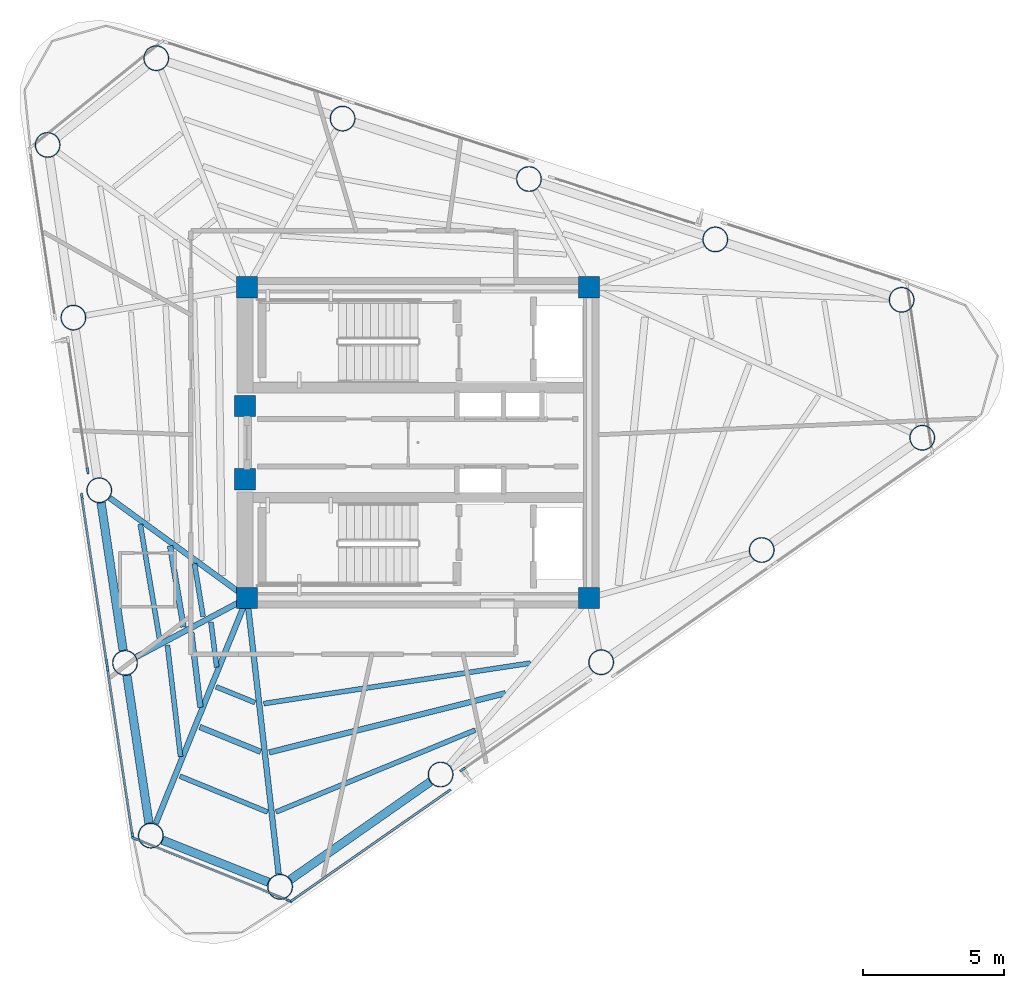
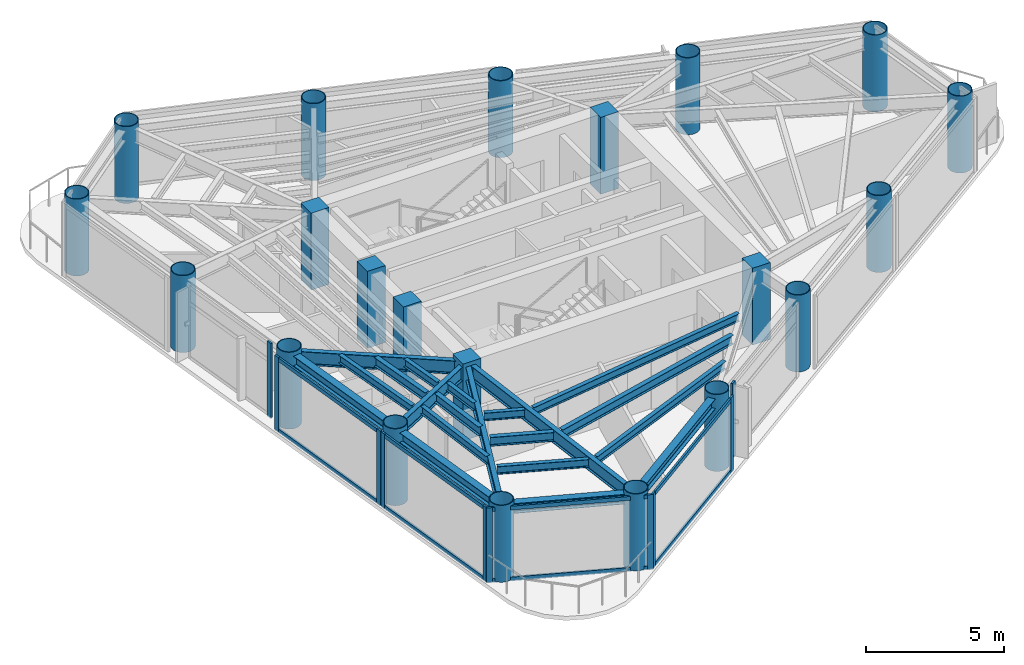
# One storey, part 1 of 9: 21 columns, 20 beams, 18 members, 6 elements without a shape of their own.
"""IFC4 building model written with IfcOpenShell, lengths in metres."""

import ifcopenshell
import ifcopenshell.guid

model = None  # the IFC model being written
_history = None  # IfcOwnerHistory: only IFC2X3 demands one
_inside = {}  # id of a spatial element -> (the spatial element, [elements in it])
_under = {}  # id of a project, library or spatial element -> (it, [spatial elements below it])
_declared = {}  # id of a project -> (the project, [libraries it declares])
_typed = {}  # id of a type object -> (the type object, [elements of that type])
_made_of = {}  # id of a material, layer set ... -> (it, [elements and type objects made of it])


def new_model(schema):
    """Start an empty IFC model of exactly this schema.

    Asked for "IFC4X3", IfcOpenShell would pick the latest addendum, in which some entities
    have other attributes; the version numbers below select the first issue.
    IFC2X3 requires an IfcOwnerHistory on every rooted entity: one is made here for all.
    """
    global model, _history
    if schema == "IFC4X3":
        model = ifcopenshell.file(schema_version=(4, 3, 0, 0))
    else:
        model = ifcopenshell.file(schema=schema)
    _inside.clear()
    _under.clear()
    _declared.clear()
    _typed.clear()
    _made_of.clear()
    _history = None
    if model.schema == "IFC2X3":
        org = make("IfcOrganization", Name="unknown")
        user = make(
            "IfcPersonAndOrganization",
            ThePerson=make("IfcPerson", FamilyName="unknown"),
            TheOrganization=org,
        )
        app = make(
            "IfcApplication",
            ApplicationDeveloper=org,
            Version="unknown",
            ApplicationFullName="unknown",
            ApplicationIdentifier="unknown",
        )
        _history = make(
            "IfcOwnerHistory",
            OwningUser=user,
            OwningApplication=app,
            ChangeAction="ADDED",
            CreationDate=0,
        )
    return model


def make(cls, **values):
    """One entity of the class cls with the attributes given. An attribute that is None is left unset."""
    return model.create_entity(
        cls, **{name: value for name, value in values.items() if value is not None}
    )


def rooted(cls, **values):
    """An entity with a GlobalId (a new one), such as an element, a storey or a relation."""
    return make(cls, GlobalId=ifcopenshell.guid.new(), OwnerHistory=_history, **values)


def si_unit(unit_type, name, prefix=None):
    """IfcSIUnit, for example si_unit("LENGTHUNIT", "METRE", prefix="MILLI")."""
    return make("IfcSIUnit", UnitType=unit_type, Prefix=prefix, Name=name)


def assignment(units):
    """IfcUnitAssignment: the units of a project."""
    return None if units is None else make("IfcUnitAssignment", Units=units)


def point(xyz):
    """IfcCartesianPoint."""
    return None if xyz is None else make("IfcCartesianPoint", Coordinates=xyz)


def direction(xyz):
    """IfcDirection."""
    return None if xyz is None else make("IfcDirection", DirectionRatios=xyz)


def frame(location, z_axis=None, x_axis=None):
    """IfcAxis2Placement3D, a coordinate frame: its origin and axes. An axis left out is left unset."""
    return make(
        "IfcAxis2Placement3D",
        Location=point(location),
        Axis=direction(z_axis),
        RefDirection=direction(x_axis),
    )


def frame_2d(location, x_axis=None):
    """IfcAxis2Placement2D, a coordinate frame in the plane: its origin and x axis."""
    return make(
        "IfcAxis2Placement2D", Location=point(location), RefDirection=direction(x_axis)
    )


def origin():
    """The frame at (0, 0, 0) with its axes left unset."""
    return frame((0.0, 0.0, 0.0))


def origin_2d():
    """The frame at (0, 0) in the plane with its x axis left unset."""
    return frame_2d((0.0, 0.0))


def place(relative_to, where):
    """IfcLocalPlacement: puts the frame where relative to a parent placement (None: the world)."""
    return make(
        "IfcLocalPlacement", PlacementRelTo=relative_to, RelativePlacement=where
    )


def context(
    kind, dimensions, precision=None, world=None, true_north=None, identifier=None
):
    """IfcGeometricRepresentationContext, for example the 3D "Model" context."""
    return make(
        "IfcGeometricRepresentationContext",
        ContextIdentifier=identifier,
        ContextType=kind,
        CoordinateSpaceDimension=dimensions,
        Precision=precision,
        WorldCoordinateSystem=world,
        TrueNorth=true_north,
    )


def subcontext(parent, identifier, kind, view, scale=None):
    """IfcGeometricRepresentationSubContext, for example "Body" below "Model"."""
    return make(
        "IfcGeometricRepresentationSubContext",
        ContextIdentifier=identifier,
        ContextType=kind,
        ParentContext=parent,
        TargetScale=scale,
        TargetView=view,
    )


def project(units=None, contexts=None):
    """IfcProject with its units and contexts."""
    return rooted(
        "IfcProject",
        Name="project",
        RepresentationContexts=contexts,
        UnitsInContext=assignment(units),
    )


def spatial(cls, under=None, at=None, **own):
    """A site, building, storey or space (cls), placed at a placement, below another one or the project."""
    s = rooted(cls, ObjectPlacement=at, **own)
    if under is not None:
        _under.setdefault(under.id(), (under, []))[1].append(s)
    return s


def profile(cls, at=None, kind="AREA", **sizes):
    """A parametric profile (cls). Its sizes go by their IFC names, for example OverallWidth=200.0."""
    return make(cls, ProfileType=kind, Position=at, **sizes)


def rectangle(**sizes):
    """IfcRectangleProfileDef."""
    return profile("IfcRectangleProfileDef", **sizes)


def hollow_circle(**sizes):
    """IfcCircleHollowProfileDef."""
    return profile("IfcCircleHollowProfileDef", **sizes)


def i_section(**sizes):
    """IfcIShapeProfileDef."""
    return profile("IfcIShapeProfileDef", **sizes)


def extrude(swept, where, along, depth):
    """IfcExtrudedAreaSolid: the profile swept, set in the frame where, extruded along a direction by depth."""
    return make(
        "IfcExtrudedAreaSolid",
        SweptArea=swept,
        Position=where,
        ExtrudedDirection=direction(along),
        Depth=depth,
    )


def shape(context_of_items, identifier, shape_type, items):
    """IfcShapeRepresentation: the items that make up one representation, for example the "Body"."""
    return make(
        "IfcShapeRepresentation",
        ContextOfItems=context_of_items,
        RepresentationIdentifier=identifier,
        RepresentationType=shape_type,
        Items=items,
    )


def source(mapping_origin, context_of_items, identifier, shape_type, items):
    """IfcRepresentationMap: a shape defined once, which mapped items show again and again."""
    return make(
        "IfcRepresentationMap",
        MappingOrigin=mapping_origin,
        MappedRepresentation=shape(context_of_items, identifier, shape_type, items),
    )


def transform(
    local_origin,
    x_axis=None,
    y_axis=None,
    z_axis=None,
    scale=None,
    scale2=None,
    scale3=None,
    uniform=True,
):
    """IfcCartesianTransformationOperator3D, or its non-uniform kind. x_axis, y_axis, z_axis: its Axis1, 2, 3."""
    if uniform:
        return make(
            "IfcCartesianTransformationOperator3D",
            Axis1=direction(x_axis),
            Axis2=direction(y_axis),
            LocalOrigin=point(local_origin),
            Scale=scale,
            Axis3=direction(z_axis),
        )
    return make(
        "IfcCartesianTransformationOperator3DnonUniform",
        Axis1=direction(x_axis),
        Axis2=direction(y_axis),
        LocalOrigin=point(local_origin),
        Scale=scale,
        Axis3=direction(z_axis),
        Scale2=scale2,
        Scale3=scale3,
    )


def mapped(mapping_source, mapping_target):
    """IfcMappedItem: shows the shape of a source again, moved by a transform."""
    return make(
        "IfcMappedItem", MappingSource=mapping_source, MappingTarget=mapping_target
    )


def material(Name=None, Category=None):
    """IfcMaterial."""
    return make("IfcMaterial", Name=Name, Category=Category)


def layer(
    of_material, thickness, ventilated=None, Name=None, Category=None, Priority=None
):
    """IfcMaterialLayer: one layer of a wall or slab, of a material (None: an air gap)."""
    return make(
        "IfcMaterialLayer",
        Material=of_material,
        LayerThickness=thickness,
        IsVentilated=ventilated,
        Name=Name,
        Category=Category,
        Priority=Priority,
    )


def layer_set(layers, Name=None):
    """IfcMaterialLayerSet."""
    return make("IfcMaterialLayerSet", MaterialLayers=layers, LayerSetName=Name)


def material_profile(
    of_material, cross_section, Name=None, Category=None, Priority=None
):
    """IfcMaterialProfile: a cross section and its material."""
    return make(
        "IfcMaterialProfile",
        Name=Name,
        Material=of_material,
        Profile=cross_section,
        Priority=Priority,
        Category=Category,
    )


def profile_set(profiles, Name=None, composite=None):
    """IfcMaterialProfileSet."""
    return make(
        "IfcMaterialProfileSet",
        Name=Name,
        MaterialProfiles=profiles,
        CompositeProfile=composite,
    )


def made_of(thing, what):
    """Note that an element or type object is made of a material, layer set ...; save() writes the relation."""
    if what is not None:
        _made_of.setdefault(what.id(), (what, []))[1].append(thing)
    return thing


def type_object(cls, material=None, **own):
    """A type object (cls), such as IfcWallType, which elements share."""
    return made_of(rooted(cls, **own), material)


def element(
    cls,
    number,
    at=None,
    inside=None,
    cuts=None,
    type_object=None,
    material=None,
    context=None,
    identifier="Body",
    shape_type=None,
    held_by="IfcProductDefinitionShape",
    body=None,
    shapes=None,
    **own,
):
    """One element of the class cls, such as IfcWall. Its Tag is "e" and its number.

    at: its placement. inside: the storey or other place that contains it. cuts: it is an
    opening in that element (IfcRelVoidsElement). A single representation is given by context,
    identifier, shape_type and body (its items); several are given by shapes. held_by: the class
    of the entity that holds the representations. save() writes the other relations.
    """
    e = rooted(cls, Tag="e%d" % number, ObjectPlacement=at, **own)
    if body is not None:
        shapes = [shape(context, identifier, shape_type, body)]
    if shapes is not None:
        e.Representation = make(held_by, Representations=shapes)
    if inside is not None:
        _inside.setdefault(inside.id(), (inside, []))[1].append(e)
    if cuts is not None:
        rooted(
            "IfcRelVoidsElement", RelatingBuildingElement=cuts, RelatedOpeningElement=e
        )
    if type_object is not None:
        _typed.setdefault(type_object.id(), (type_object, []))[1].append(e)
    return made_of(e, material)


def aggregate(whole, parts):
    """IfcRelAggregates: a whole, such as a stair, and the parts it consists of."""
    return rooted("IfcRelAggregates", RelatingObject=whole, RelatedObjects=parts)


def save(model, path):
    """Write the relations noted so far, then the file.

    IfcRelAggregates (storeys below a building ...), IfcRelContainedInSpatialStructure (elements
    in a storey), IfcRelDefinesByType, IfcRelAssociatesMaterial and IfcRelDeclares: one each for
    every whole, place, type object, material and project.
    """
    for whole, parts in _under.values():
        aggregate(whole, parts)
    for where, things in _inside.values():
        rooted(
            "IfcRelContainedInSpatialStructure",
            RelatedElements=things,
            RelatingStructure=where,
        )
    for kind, things in _typed.values():
        rooted("IfcRelDefinesByType", RelatedObjects=things, RelatingType=kind)
    for what, things in _made_of.values():
        rooted("IfcRelAssociatesMaterial", RelatedObjects=things, RelatingMaterial=what)
    for by, libraries in _declared.values():
        rooted("IfcRelDeclares", RelatingContext=by, RelatedDefinitions=libraries)
    model.write(path)


model = new_model("IFC4")

# Units and contexts
model_context = context("Model", 3, precision=1e-05, world=origin(), true_north=direction((0.0, 1.0)))
body_context = subcontext(model_context, "Body", "Model", "MODEL_VIEW")
ifc_project = project(units=[si_unit("LENGTHUNIT", "METRE"), si_unit("AREAUNIT", "SQUARE_METRE"), si_unit("VOLUMEUNIT", "CUBIC_METRE"), si_unit("PLANEANGLEUNIT", "RADIAN"), si_unit("MASSUNIT", "GRAM", prefix="KILO")], contexts=[model_context])

# Site, building, storey
site_placement = place(None, origin())
site = spatial("IfcSite", under=ifc_project, at=site_placement, CompositionType="ELEMENT")
building_placement = place(site_placement, origin())
building = spatial("IfcBuilding", under=site, at=building_placement, Name="Yunling Apex Tower", CompositionType="ELEMENT")
storey_placement = place(building_placement, frame((0.0, 0.0, 264.35009765625)))
storey = spatial("IfcBuildingStorey", under=building, at=storey_placement, Name="L64", CompositionType="ELEMENT", Elevation=264.35009765625)

# Columns
ifc_material_1 = material(Name="Concrete C50", Category="concrete")
ifc_material_profile_1 = material_profile(ifc_material_1, rectangle(XDim=0.75, YDim=0.75, at=origin_2d()))
ifc_profile_set_1 = profile_set([ifc_material_profile_1], Name="Concrete C50")
column_type_1 = type_object("IfcColumnType", Name="PC-SRC-4", PredefinedType="COLUMN", material=ifc_profile_set_1)
shared_shape_1 = source(origin(), body_context, "Body", "SweptSolid", [
    extrude(rectangle(XDim=0.75, YDim=0.75, at=origin_2d()), origin(), (0.0, 0.0, 1.0), 3.39990234375),
])
for number, where, z_axis, x_axis, name in (
    (1, (-6.050048828125, -5.5, 0.0), (0.0, 0.0, 1.0), (1.0, 0.0, 0.0), "L64 Core Spine Column CC-SW"),
    (2, (6.050048828125, -5.5, 0.0), (0.0, 0.0, 1.0), (1.0, 0.0, 0.0), "L64 Core Spine Column CC-SE"),
    (3, (6.050048828125, 5.5, 0.0), (0.0, 0.0, 1.0), (1.0, 0.0, 0.0), "L64 Core Spine Column CC-NE"),
    (4, (-6.050048828125, 5.5, 0.0), (0.0, 0.0, 1.0), (1.0, 0.0, 0.0), "L64 Core Spine Column CC-NW"),
    (5, (-6.125, -1.300048828125, 0.0), (0.0, 0.0, 1.0), (1.0, 0.0, 0.0), "L64 Core West Portal Jamb Column S"),
    (6, (-6.125, 1.300048828125, 0.0), (0.0, 0.0, 1.0), (1.0, 0.0, 0.0), "L64 Core West Portal Jamb Column N"),
):
    element("IfcColumn", number, at=place(storey_placement, frame(where, z_axis=z_axis, x_axis=x_axis)), inside=storey, type_object=column_type_1, Name=name, PredefinedType="COLUMN", context=body_context, shape_type="MappedRepresentation", body=[
        mapped(shared_shape_1, transform((0.0, 0.0, 0.0), scale=1.0)),
    ])
ifc_material_2 = material(Name="Steel Q355B", Category="steel")
ifc_material_profile_2 = material_profile(ifc_material_2, hollow_circle(Radius=0.449951171875, WallThickness=0.031982421875, at=origin_2d()))
ifc_profile_set_2 = profile_set([ifc_material_profile_2], Name="Steel Q355B")
column_type_2 = type_object("IfcColumnType", Name="MC-CFST-6", PredefinedType="COLUMN", material=ifc_profile_set_2)
shared_shape_2 = source(origin(), body_context, "Body", "SweptSolid", [
    extrude(hollow_circle(Radius=0.449951171875, WallThickness=0.031982421875, at=origin_2d()), origin(), (0.0, 0.0, 1.0), 3.39990234375),
])
for number, where, z_axis, x_axis, name in (
    (7, (-4.8837890625, -15.716796875, 0.0), (0.0, 0.0, 1.0), (1.0, 0.0, 0.0), "L64 Perimeter CFST Mega-Column P01"),
    (8, (0.797119140625, -11.744873046875, 0.0), (0.0, 0.0, 1.0), (1.0, 0.0, 0.0), "L64 Perimeter CFST Mega-Column P02"),
    (9, (6.47802734375, -7.77294921875, 0.0), (0.0, 0.0, 1.0), (1.0, 0.0, 0.0), "L64 Perimeter CFST Mega-Column P03"),
    (10, (12.15869140625, -3.801025390625, 0.0), (0.0, 0.0, 1.0), (1.0, 0.0, 0.0), "L64 Perimeter CFST Mega-Column P04"),
    (11, (17.839599609375, 0.1708984375, 0.0), (0.0, 0.0, 1.0), (1.0, 0.0, 0.0), "L64 Perimeter CFST Mega-Column P05"),
    (12, (17.110107421875, 5.052490234375, 0.0), (0.0, 0.0, 1.0), (1.0, 0.0, 0.0), "L64 Perimeter CFST Mega-Column P06"),
    (13, (10.51611328125, 7.18994140625, 0.0), (0.0, 0.0, 1.0), (1.0, 0.0, 0.0), "L64 Perimeter CFST Mega-Column P07"),
    (14, (3.92236328125, 9.327392578125, 0.0), (0.0, 0.0, 1.0), (1.0, 0.0, 0.0), "L64 Perimeter CFST Mega-Column P08"),
    (15, (-2.671630859375, 11.46484375, 0.0), (0.0, 0.0, 1.0), (1.0, 0.0, 0.0), "L64 Perimeter CFST Mega-Column P09"),
    (16, (-9.265625, 13.602294921875, 0.0), (0.0, 0.0, 1.0), (1.0, 0.0, 0.0), "L64 Perimeter CFST Mega-Column P10"),
    (17, (-13.10986328125, 10.532470703125, 0.0), (0.0, 0.0, 1.0), (1.0, 0.0, 0.0), "L64 Perimeter CFST Mega-Column P11"),
    (18, (-12.19677734375, 4.423095703125, 0.0), (0.0, 0.0, 1.0), (1.0, 0.0, 0.0), "L64 Perimeter CFST Mega-Column P12"),
    (19, (-11.28369140625, -1.686279296875, 0.0), (0.0, 0.0, 1.0), (1.0, 0.0, 0.0), "L64 Perimeter CFST Mega-Column P13"),
    (20, (-10.37060546875, -7.7958984375, 0.0), (0.0, 0.0, 1.0), (1.0, 0.0, 0.0), "L64 Perimeter CFST Mega-Column P14"),
    (21, (-9.45751953125, -13.9052734375, 0.0), (0.0, 0.0, 1.0), (1.0, 0.0, 0.0), "L64 Perimeter CFST Mega-Column P15"),
):
    element("IfcColumn", number, at=place(storey_placement, frame(where, z_axis=z_axis, x_axis=x_axis)), inside=storey, type_object=column_type_2, Name=name, PredefinedType="COLUMN", context=body_context, shape_type="MappedRepresentation", body=[
        mapped(shared_shape_2, transform((0.0, 0.0, 0.0), scale=1.0)),
    ])

# Beams
ifc_material_profile_3 = material_profile(ifc_material_2, i_section(OverallWidth=0.300048828125, OverallDepth=0.43994140625, WebThickness=0.010986328125, FlangeThickness=0.01806640625, FilletRadius=0.02197265625, at=origin_2d()))
ifc_profile_set_3 = profile_set([ifc_material_profile_3], Name="Steel Q355B")
beam_type_1 = type_object("IfcBeamType", Name="BP-SPN-3", PredefinedType="SPANDREL", material=ifc_profile_set_3)
shared_shape_3 = source(origin(), body_context, "Body", "SweptSolid", [
    extrude(i_section(OverallWidth=0.300048828125, OverallDepth=0.43994140625, WebThickness=0.010986328125, FlangeThickness=0.01806640625, FilletRadius=0.02197265625, at=origin_2d()), origin(), (0.0, 0.0, 1.0), 6.043701171875),
])
beam_1_placement = place(storey_placement, frame((-4.52001953125, -15.46240234375, 3.0), z_axis=(0.819546828705, 0.5730122124, 0.0), x_axis=(-0.5730122124, 0.819546828705, 0.0)))
element("IfcBeam", 22, at=beam_1_placement, inside=storey, type_object=beam_type_1, Name="L64 Perimeter Spandrel Beam 1", PredefinedType="SPANDREL", context=body_context, shape_type="MappedRepresentation", body=[
    mapped(shared_shape_3, transform((0.0, 0.0, 0.0), scale=1.0)),
])
shared_shape_4 = source(origin(), body_context, "Body", "SweptSolid", [
    extrude(i_section(OverallWidth=0.300048828125, OverallDepth=0.43994140625, WebThickness=0.010986328125, FlangeThickness=0.01806640625, FilletRadius=0.02197265625, at=origin_2d()), origin(), (0.0, 0.0, 1.0), 5.289306640625),
])
for number, where, z_axis, x_axis, name in (
    (23, (-11.218017578125, -2.12548828125, 3.0), (0.147796471114, -0.989017797174, 0.0), (0.989017797174, 0.147796471114, 0.0), "L64 Perimeter Spandrel Beam 13"),
    (24, (-10.304931640625, -8.23486328125, 3.0), (0.147796471114, -0.989017797174, 0.0), (0.989017797174, 0.147796471114, 0.0), "L64 Perimeter Spandrel Beam 14"),
):
    element("IfcBeam", number, at=place(storey_placement, frame(where, z_axis=z_axis, x_axis=x_axis)), inside=storey, type_object=beam_type_1, Name=name, PredefinedType="SPANDREL", context=body_context, shape_type="MappedRepresentation", body=[
        mapped(shared_shape_4, transform((0.0, 0.0, 0.0), scale=1.0)),
    ])
shared_shape_5 = source(origin(), body_context, "Body", "SweptSolid", [
    extrude(i_section(OverallWidth=0.300048828125, OverallDepth=0.43994140625, WebThickness=0.010986328125, FlangeThickness=0.01806640625, FilletRadius=0.02197265625, at=origin_2d()), origin(), (0.0, 0.0, 1.0), 4.03173828125),
])
beam_2_placement = place(storey_placement, frame((-9.044921875, -14.068603515625, 3.0), z_axis=(0.92970771396, -0.368298203368, 0.0), x_axis=(0.368298203368, 0.92970771396, 0.0)))
element("IfcBeam", 25, at=beam_2_placement, inside=storey, type_object=beam_type_1, Name="L64 Perimeter Spandrel Beam 15", PredefinedType="SPANDREL", context=body_context, shape_type="MappedRepresentation", body=[
    mapped(shared_shape_5, transform((0.0, 0.0, 0.0), scale=1.0)),
])
ifc_material_profile_4 = material_profile(ifc_material_2, i_section(OverallWidth=0.199951171875, OverallDepth=0.60009765625, WebThickness=0.010986328125, FlangeThickness=0.01708984375, FilletRadius=0.02197265625, at=origin_2d()))
ifc_profile_set_4 = profile_set([ifc_material_profile_4], Name="Steel Q355B")
beam_type_2 = type_object("IfcBeamType", Name="BG-PRI-5", PredefinedType="USERDEFINED", material=ifc_profile_set_4)
shared_shape_6 = source(origin(), body_context, "Body", "SweptSolid", [
    extrude(i_section(OverallWidth=0.199951171875, OverallDepth=0.60009765625, WebThickness=0.010986328125, FlangeThickness=0.01708984375, FilletRadius=0.02197265625, at=origin_2d()), origin(), (0.0, 0.0, 1.0), 9.745361328125),
])
beam_3_placement = place(storey_placement, frame((-4.935791015625, -15.261962890625, 2.919921875), z_axis=(-0.11341163891, 0.993548086486, 0.0), x_axis=(-0.993548086486, -0.11341163891, 0.0)))
element("IfcBeam", 26, at=beam_3_placement, inside=storey, type_object=beam_type_2, Name="L64 Radial Primary Girder R01", ObjectType="GIRDER", PredefinedType="USERDEFINED", context=body_context, shape_type="MappedRepresentation", body=[
    mapped(shared_shape_6, transform((0.0, 0.0, 0.0), scale=1.0)),
])
shared_shape_7 = source(origin(), body_context, "Body", "SweptSolid", [
    extrude(i_section(OverallWidth=0.199951171875, OverallDepth=0.60009765625, WebThickness=0.010986328125, FlangeThickness=0.01708984375, FilletRadius=0.02197265625, at=origin_2d()), origin(), (0.0, 0.0, 1.0), 5.937744140625),
])
beam_4_placement = place(storey_placement, frame((-10.91357421875, -1.9560546875, 2.919921875), z_axis=(0.808193442209, -0.588917107894, 0.0), x_axis=(0.588917107894, 0.808193442209, 0.0)))
element("IfcBeam", 27, at=beam_4_placement, inside=storey, type_object=beam_type_2, Name="L64 Radial Primary Girder R13", ObjectType="GIRDER", PredefinedType="USERDEFINED", context=body_context, shape_type="MappedRepresentation", body=[
    mapped(shared_shape_7, transform((0.0, 0.0, 0.0), scale=1.0)),
])
shared_shape_8 = source(origin(), body_context, "Body", "SweptSolid", [
    extrude(i_section(OverallWidth=0.199951171875, OverallDepth=0.60009765625, WebThickness=0.010986328125, FlangeThickness=0.01708984375, FilletRadius=0.02197265625, at=origin_2d()), origin(), (0.0, 0.0, 1.0), 4.354736328125),
])
beam_5_placement = place(storey_placement, frame((-9.96630859375, -7.580810546875, 2.919921875), z_axis=(0.883098298021, 0.469188017784, 0.0), x_axis=(-0.469188017784, 0.883098298021, 0.0)))
element("IfcBeam", 28, at=beam_5_placement, inside=storey, type_object=beam_type_2, Name="L64 Radial Primary Girder R14", ObjectType="GIRDER", PredefinedType="USERDEFINED", context=body_context, shape_type="MappedRepresentation", body=[
    mapped(shared_shape_8, transform((0.0, 0.0, 0.0), scale=1.0)),
])
shared_shape_9 = source(origin(), body_context, "Body", "SweptSolid", [
    extrude(i_section(OverallWidth=0.199951171875, OverallDepth=0.60009765625, WebThickness=0.010986328125, FlangeThickness=0.01708984375, FilletRadius=0.02197265625, at=origin_2d()), origin(), (0.0, 0.0, 1.0), 8.531494140625),
])
beam_6_placement = place(storey_placement, frame((-9.285400390625, -13.480712890625, 2.919921875), z_axis=(0.375703780252, 0.926739806798, 0.0), x_axis=(-0.926739806798, 0.375703780252, 0.0)))
element("IfcBeam", 29, at=beam_6_placement, inside=storey, type_object=beam_type_2, Name="L64 Radial Primary Girder R15", ObjectType="GIRDER", PredefinedType="USERDEFINED", context=body_context, shape_type="MappedRepresentation", body=[
    mapped(shared_shape_9, transform((0.0, 0.0, 0.0), scale=1.0)),
])
ifc_material_profile_5 = material_profile(ifc_material_2, i_section(OverallWidth=0.199951171875, OverallDepth=0.39990234375, WebThickness=0.008056640625, FlangeThickness=0.012939453125, FilletRadius=0.01611328125, at=origin_2d()))
ifc_profile_set_5 = profile_set([ifc_material_profile_5], Name="Steel Q355B")
beam_type_3 = type_object("IfcBeamType", Name="BS-SEC-4", PredefinedType="BEAM", material=ifc_profile_set_5)
shared_shape_10 = source(origin(), body_context, "Body", "SweptSolid", [
    extrude(i_section(OverallWidth=0.199951171875, OverallDepth=0.39990234375, WebThickness=0.008056640625, FlangeThickness=0.012939453125, FilletRadius=0.01611328125, at=origin_2d()), origin(), (0.0, 0.0, 1.0), 8.62109375),
])
beam_7_placement = place(storey_placement, frame((-5.266845703125, -10.962646484375, 3.02001953125), z_axis=(0.96999740229, 0.243115280374, 0.0), x_axis=(-0.243115280374, 0.96999740229, 0.0)))
element("IfcBeam", 30, at=beam_7_placement, inside=storey, type_object=beam_type_3, Name="L64 Composite Floor Beam BS-1", PredefinedType="BEAM", context=body_context, shape_type="MappedRepresentation", body=[
    mapped(shared_shape_10, transform((0.0, 0.0, 0.0), scale=1.0)),
])
ifc_material_profile_6 = material_profile(ifc_material_2, i_section(OverallWidth=0.175048828125, OverallDepth=0.35009765625, WebThickness=0.007080078125, FlangeThickness=0.010986328125, FilletRadius=0.013916015625, at=origin_2d()))
ifc_profile_set_6 = profile_set([ifc_material_profile_6], Name="Steel Q355B")
beam_type_4 = type_object("IfcBeamType", Name="BJ-JST-1", PredefinedType="JOIST", material=ifc_profile_set_6)
shared_shape_11 = source(origin(), body_context, "Body", "SweptSolid", [
    extrude(i_section(OverallWidth=0.175048828125, OverallDepth=0.35009765625, WebThickness=0.007080078125, FlangeThickness=0.010986328125, FilletRadius=0.013916015625, at=origin_2d()), origin(), (0.0, 0.0, 1.0), 7.626953125),
])
beam_8_placement = place(storey_placement, frame((-5.031005859375, -13.071044921875, 3.044921875), z_axis=(0.924936429691, 0.380121823934, 0.0), x_axis=(-0.380121823934, 0.924936429691, 0.0)))
element("IfcBeam", 31, at=beam_8_placement, inside=storey, type_object=beam_type_4, Name="L64 Composite Floor Joist BJ1-1", PredefinedType="JOIST", context=body_context, shape_type="MappedRepresentation", body=[
    mapped(shared_shape_11, transform((0.0, 0.0, 0.0), scale=1.0)),
])
shared_shape_12 = source(origin(), body_context, "Body", "SweptSolid", [
    extrude(i_section(OverallWidth=0.175048828125, OverallDepth=0.35009765625, WebThickness=0.007080078125, FlangeThickness=0.010986328125, FilletRadius=0.013916015625, at=origin_2d()), origin(), (0.0, 0.0, 1.0), 9.546630859375),
])
beam_9_placement = place(storey_placement, frame((-5.462646484375, -9.23486328125, 3.044921875), z_axis=(0.988668394837, 0.150115972004, 0.0), x_axis=(-0.150115972004, 0.988668394837, 0.0)))
element("IfcBeam", 32, at=beam_9_placement, inside=storey, type_object=beam_type_4, Name="L64 Composite Floor Joist BJ3-1", PredefinedType="JOIST", context=body_context, shape_type="MappedRepresentation", body=[
    mapped(shared_shape_12, transform((0.0, 0.0, 0.0), scale=1.0)),
])
shared_shape_13 = source(origin(), body_context, "Body", "SweptSolid", [
    extrude(i_section(OverallWidth=0.199951171875, OverallDepth=0.39990234375, WebThickness=0.008056640625, FlangeThickness=0.012939453125, FilletRadius=0.01611328125, at=origin_2d()), origin(), (0.0, 0.0, 1.0), 2.910400390625),
])
beam_10_placement = place(storey_placement, frame((-8.77587890625, -3.652587890625, 3.02001953125), z_axis=(0.163405899616, -0.986558924733, 0.0), x_axis=(0.986558924733, 0.163405899616, 0.0)))
element("IfcBeam", 33, at=beam_10_placement, inside=storey, type_object=beam_type_3, Name="L64 Composite Floor Beam BS-13", PredefinedType="BEAM", context=body_context, shape_type="MappedRepresentation", body=[
    mapped(shared_shape_13, transform((0.0, 0.0, 0.0), scale=1.0)),
])
shared_shape_14 = source(origin(), body_context, "Body", "SweptSolid", [
    extrude(i_section(OverallWidth=0.175048828125, OverallDepth=0.35009765625, WebThickness=0.007080078125, FlangeThickness=0.010986328125, FilletRadius=0.013916015625, at=origin_2d()), origin(), (0.0, 0.0, 1.0), 4.14697265625),
])
beam_11_placement = place(storey_placement, frame((-9.831298828125, -2.88330078125, 3.044921875), z_axis=(0.165134037528, -0.986271133943, 0.0), x_axis=(0.986271133943, 0.165134037528, 0.0)))
element("IfcBeam", 34, at=beam_11_placement, inside=storey, type_object=beam_type_4, Name="L64 Composite Floor Joist BJ1-13", PredefinedType="JOIST", context=body_context, shape_type="MappedRepresentation", body=[
    mapped(shared_shape_14, transform((0.0, 0.0, 0.0), scale=1.0)),
])
shared_shape_15 = source(origin(), body_context, "Body", "SweptSolid", [
    extrude(i_section(OverallWidth=0.175048828125, OverallDepth=0.35009765625, WebThickness=0.007080078125, FlangeThickness=0.010986328125, FilletRadius=0.013916015625, at=origin_2d()), origin(), (0.0, 0.0, 1.0), 1.898681640625),
])
beam_12_placement = place(storey_placement, frame((-7.91259765625, -4.281982421875, 3.044921875), z_axis=(0.160602772894, -0.987019123087, 0.0), x_axis=(0.987019123087, 0.160602772894, 0.0)))
element("IfcBeam", 35, at=beam_12_placement, inside=storey, type_object=beam_type_4, Name="L64 Composite Floor Joist BJ3-13", PredefinedType="JOIST", context=body_context, shape_type="MappedRepresentation", body=[
    mapped(shared_shape_15, transform((0.0, 0.0, 0.0), scale=1.0)),
])
shared_shape_16 = source(origin(), body_context, "Body", "SweptSolid", [
    extrude(i_section(OverallWidth=0.199951171875, OverallDepth=0.39990234375, WebThickness=0.008056640625, FlangeThickness=0.012939453125, FilletRadius=0.01611328125, at=origin_2d()), origin(), (0.0, 0.0, 1.0), 2.670166015625),
])
beam_13_placement = place(storey_placement, frame((-8.024169921875, -6.718017578125, 3.02001953125), z_axis=(0.12060169382, -0.992700977862, 0.0), x_axis=(0.992700977862, 0.12060169382, 0.0)))
element("IfcBeam", 36, at=beam_13_placement, inside=storey, type_object=beam_type_3, Name="L64 Composite Floor Beam BS-14", PredefinedType="BEAM", context=body_context, shape_type="MappedRepresentation", body=[
    mapped(shared_shape_16, transform((0.0, 0.0, 0.0), scale=1.0)),
])
shared_shape_17 = source(origin(), body_context, "Body", "SweptSolid", [
    extrude(i_section(OverallWidth=0.175048828125, OverallDepth=0.35009765625, WebThickness=0.007080078125, FlangeThickness=0.010986328125, FilletRadius=0.013916015625, at=origin_2d()), origin(), (0.0, 0.0, 1.0), 3.96728515625),
])
beam_14_placement = place(storey_placement, frame((-8.87060546875, -7.167724609375, 3.044921875), z_axis=(0.116919795798, -0.993141360205, 0.0), x_axis=(0.993141360205, 0.116919795798, 0.0)))
element("IfcBeam", 37, at=beam_14_placement, inside=storey, type_object=beam_type_4, Name="L64 Composite Floor Joist BJ1-14", PredefinedType="JOIST", context=body_context, shape_type="MappedRepresentation", body=[
    mapped(shared_shape_17, transform((0.0, 0.0, 0.0), scale=1.0)),
])
shared_shape_18 = source(origin(), body_context, "Body", "SweptSolid", [
    extrude(i_section(OverallWidth=0.175048828125, OverallDepth=0.35009765625, WebThickness=0.007080078125, FlangeThickness=0.010986328125, FilletRadius=0.013916015625, at=origin_2d()), origin(), (0.0, 0.0, 1.0), 1.608642578125),
])
beam_15_placement = place(storey_placement, frame((-7.330810546875, -6.35009765625, 3.044921875), z_axis=(0.12719111786, -0.99187822818, 0.0), x_axis=(0.99187822818, 0.12719111786, 0.0)))
element("IfcBeam", 38, at=beam_15_placement, inside=storey, type_object=beam_type_4, Name="L64 Composite Floor Joist BJ3-14", PredefinedType="JOIST", context=body_context, shape_type="MappedRepresentation", body=[
    mapped(shared_shape_18, transform((0.0, 0.0, 0.0), scale=1.0)),
])
shared_shape_19 = source(origin(), body_context, "Body", "SweptSolid", [
    extrude(i_section(OverallWidth=0.199951171875, OverallDepth=0.39990234375, WebThickness=0.008056640625, FlangeThickness=0.012939453125, FilletRadius=0.01611328125, at=origin_2d()), origin(), (0.0, 0.0, 1.0), 2.3291015625),
])
beam_16_placement = place(storey_placement, frame((-7.72705078125, -10.062255859375, 3.02001953125), z_axis=(0.926020445617, -0.377473355747, 0.0), x_axis=(0.377473355747, 0.926020445617, 0.0)))
element("IfcBeam", 39, at=beam_16_placement, inside=storey, type_object=beam_type_3, Name="L64 Composite Floor Beam BS-15", PredefinedType="BEAM", context=body_context, shape_type="MappedRepresentation", body=[
    mapped(shared_shape_19, transform((0.0, 0.0, 0.0), scale=1.0)),
])
shared_shape_20 = source(origin(), body_context, "Body", "SweptSolid", [
    extrude(i_section(OverallWidth=0.175048828125, OverallDepth=0.35009765625, WebThickness=0.007080078125, FlangeThickness=0.010986328125, FilletRadius=0.013916015625, at=origin_2d()), origin(), (0.0, 0.0, 1.0), 3.354736328125),
])
beam_17_placement = place(storey_placement, frame((-8.43212890625, -11.802001953125, 3.044921875), z_axis=(0.925654732165, -0.378369286306, 0.0), x_axis=(0.378369286306, 0.925654732165, 0.0)))
element("IfcBeam", 40, at=beam_17_placement, inside=storey, type_object=beam_type_4, Name="L64 Composite Floor Joist BJ1-15", PredefinedType="JOIST", context=body_context, shape_type="MappedRepresentation", body=[
    mapped(shared_shape_20, transform((0.0, 0.0, 0.0), scale=1.0)),
])
shared_shape_21 = source(origin(), body_context, "Body", "SweptSolid", [
    extrude(i_section(OverallWidth=0.175048828125, OverallDepth=0.35009765625, WebThickness=0.007080078125, FlangeThickness=0.010986328125, FilletRadius=0.013916015625, at=origin_2d()), origin(), (0.0, 0.0, 1.0), 1.48974609375),
])
beam_18_placement = place(storey_placement, frame((-7.14990234375, -8.638916015625, 3.044921875), z_axis=(0.926714592409, -0.375765970008, 0.0), x_axis=(0.375765970008, 0.926714592409, 0.0)))
element("IfcBeam", 41, at=beam_18_placement, inside=storey, type_object=beam_type_4, Name="L64 Composite Floor Joist BJ3-15", PredefinedType="JOIST", context=body_context, shape_type="MappedRepresentation", body=[
    mapped(shared_shape_21, transform((0.0, 0.0, 0.0), scale=1.0)),
])

# Curtain wall, members
ifc_material_3 = material(Name="Bronze anodised aluminium", Category="aluminium")
ifc_layer = layer(ifc_material_3, 0.219970703125)
ifc_layer_set = layer_set([ifc_layer], Name="Bronze anodised aluminium")
curtain_wall_type = type_object("IfcCurtainWallType", Name="CW-SYS-4", PredefinedType="NOTDEFINED", material=ifc_layer_set)
curtain_wall_1_placement = place(storey_placement, origin())
curtain_wall_1 = element("IfcCurtainWall", 42, at=curtain_wall_1_placement, inside=storey, type_object=curtain_wall_type, Name="CW-L64-F1-B1", PredefinedType="NOTDEFINED")
ifc_material_profile_7 = material_profile(ifc_material_3, rectangle(XDim=0.080078125, YDim=0.219970703125, at=origin_2d()))
ifc_profile_set_7 = profile_set([ifc_material_profile_7], Name="Bronze anodised aluminium")
member_type_1 = type_object("IfcMemberType", Name="CW-MUL-4", PredefinedType="MULLION", material=ifc_profile_set_7)
shared_shape_22 = source(origin(), body_context, "Body", "SweptSolid", [
    extrude(rectangle(XDim=0.080078125, YDim=0.219970703125, at=origin_2d()), origin(), (0.0, 0.0, 1.0), 3.320068359375),
])
member_1_placement = place(storey_placement, frame((-4.418701171875, -16.172607421875, -0.050048828125), z_axis=(0.0, 0.0, 1.0), x_axis=(-0.573000403744, 0.819555084976, 0.0)))
member_1 = element("IfcMember", 43, at=member_1_placement, type_object=member_type_1, Name="CW-SYS-4 mullion 1", PredefinedType="MULLION", context=body_context, shape_type="MappedRepresentation", body=[
    mapped(shared_shape_22, transform((0.0, 0.0, 0.0), scale=1.0)),
])
member_2_placement = place(storey_placement, frame((1.0654296875, -12.338134765625, -0.050048828125), z_axis=(0.0, 0.0, 1.0), x_axis=(-0.573000403744, 0.819555084976, 0.0)))
member_2 = element("IfcMember", 44, at=member_2_placement, type_object=member_type_1, Name="CW-SYS-4 mullion 2", PredefinedType="MULLION", context=body_context, shape_type="MappedRepresentation", body=[
    mapped(shared_shape_22, transform((0.0, 0.0, 0.0), scale=1.0)),
])

# Curtain wall, member
curtain_wall_2_placement = place(storey_placement, origin())
curtain_wall_2 = element("IfcCurtainWall", 45, at=curtain_wall_2_placement, inside=storey, type_object=curtain_wall_type, Name="CW-L64-F1-B2", PredefinedType="NOTDEFINED")
member_3_placement = place(storey_placement, frame((1.575439453125, -11.56689453125, -0.050048828125), z_axis=(0.0, 0.0, 1.0), x_axis=(-0.57299879219, 0.819556211708, 0.0)))
member_3 = element("IfcMember", 46, at=member_3_placement, type_object=member_type_1, Name="CW-SYS-4 mullion 1", PredefinedType="MULLION", context=body_context, shape_type="MappedRepresentation", body=[
    mapped(shared_shape_22, transform((0.0, 0.0, 0.0), scale=1.0)),
])
aggregate(curtain_wall_2, [member_3])

curtain_wall_3_placement = place(storey_placement, origin())
curtain_wall_3 = element("IfcCurtainWall", 47, at=curtain_wall_3_placement, inside=storey, type_object=curtain_wall_type, Name="CW-L64-F3-B2", PredefinedType="NOTDEFINED")
member_4_placement = place(storey_placement, frame((-11.689697265625, -0.998779296875, -0.050048828125), z_axis=(0.0, 0.0, 1.0), x_axis=(0.989016661745, 0.147804068926, 0.0)))
member_4 = element("IfcMember", 48, at=member_4_placement, type_object=member_type_1, Name="CW-SYS-4 mullion 2", PredefinedType="MULLION", context=body_context, shape_type="MappedRepresentation", body=[
    mapped(shared_shape_22, transform((0.0, 0.0, 0.0), scale=1.0)),
])
aggregate(curtain_wall_3, [member_4])

# Curtain wall, members
curtain_wall_4_placement = place(storey_placement, origin())
curtain_wall_4 = element("IfcCurtainWall", 49, at=curtain_wall_4_placement, inside=storey, type_object=curtain_wall_type, Name="CW-L64-F3-B3", PredefinedType="NOTDEFINED")
member_5_placement = place(storey_placement, frame((-11.89892578125, -1.899658203125, -0.050048828125), z_axis=(0.0, 0.0, 1.0), x_axis=(0.989016174309, 0.147807330522, 0.0)))
member_5 = element("IfcMember", 50, at=member_5_placement, type_object=member_type_1, Name="CW-SYS-4 mullion 1", PredefinedType="MULLION", context=body_context, shape_type="MappedRepresentation", body=[
    mapped(shared_shape_22, transform((0.0, 0.0, 0.0), scale=1.0)),
])
member_6_placement = place(storey_placement, frame((-11.021240234375, -7.771728515625, -0.050048828125), z_axis=(0.0, 0.0, 1.0), x_axis=(0.989016174309, 0.147807330522, 0.0)))
member_6 = element("IfcMember", 51, at=member_6_placement, type_object=member_type_1, Name="CW-SYS-4 mullion 2", PredefinedType="MULLION", context=body_context, shape_type="MappedRepresentation", body=[
    mapped(shared_shape_22, transform((0.0, 0.0, 0.0), scale=1.0)),
])

curtain_wall_5_placement = place(storey_placement, origin())
curtain_wall_5 = element("IfcCurtainWall", 52, at=curtain_wall_5_placement, inside=storey, type_object=curtain_wall_type, Name="CW-L64-F3-B4", PredefinedType="NOTDEFINED")
member_7_placement = place(storey_placement, frame((-10.98583984375, -8.009033203125, -0.050048828125), z_axis=(0.0, 0.0, 1.0), x_axis=(0.989018603576, 0.147791074763, 0.0)))
member_7 = element("IfcMember", 53, at=member_7_placement, type_object=member_type_1, Name="CW-SYS-4 mullion 1", PredefinedType="MULLION", context=body_context, shape_type="MappedRepresentation", body=[
    mapped(shared_shape_22, transform((0.0, 0.0, 0.0), scale=1.0)),
])
member_8_placement = place(storey_placement, frame((-10.1083984375, -13.881103515625, -0.050048828125), z_axis=(0.0, 0.0, 1.0), x_axis=(0.989018603576, 0.147791074763, 0.0)))
member_8 = element("IfcMember", 54, at=member_8_placement, type_object=member_type_1, Name="CW-SYS-4 mullion 2", PredefinedType="MULLION", context=body_context, shape_type="MappedRepresentation", body=[
    mapped(shared_shape_22, transform((0.0, 0.0, 0.0), scale=1.0)),
])

curtain_wall_6_placement = place(storey_placement, origin())
curtain_wall_6 = element("IfcCurtainWall", 55, at=curtain_wall_6_placement, inside=storey, type_object=curtain_wall_type, Name="CW-L64-CRN3", PredefinedType="NOTDEFINED")
member_9_placement = place(storey_placement, frame((-10.03369140625, -14.01171875, -0.050048828125), z_axis=(0.0, 0.0, 1.0), x_axis=(0.373009384078, 0.927827569859, 0.0)))
member_9 = element("IfcMember", 56, at=member_9_placement, type_object=member_type_1, Name="CW-SYS-4 mullion 1", PredefinedType="MULLION", context=body_context, shape_type="MappedRepresentation", body=[
    mapped(shared_shape_22, transform((0.0, 0.0, 0.0), scale=1.0)),
])
member_10_placement = place(storey_placement, frame((-4.565673828125, -16.2099609375, -0.050048828125), z_axis=(0.0, 0.0, 1.0), x_axis=(0.373009384078, 0.927827569859, 0.0)))
member_10 = element("IfcMember", 57, at=member_10_placement, type_object=member_type_1, Name="CW-SYS-4 mullion 2", PredefinedType="MULLION", context=body_context, shape_type="MappedRepresentation", body=[
    mapped(shared_shape_22, transform((0.0, 0.0, 0.0), scale=1.0)),
])

# Member
ifc_material_profile_8 = material_profile(ifc_material_3, rectangle(XDim=0.080078125, YDim=0.169921875, at=origin_2d()))
ifc_profile_set_8 = profile_set([ifc_material_profile_8], Name="Bronze anodised aluminium")
member_type_2 = type_object("IfcMemberType", Name="CW-TRN-4", PredefinedType="USERDEFINED", material=ifc_profile_set_8)
shared_shape_23 = source(origin(), body_context, "Body", "SweptSolid", [
    extrude(rectangle(XDim=0.080078125, YDim=0.169921875, at=origin_2d()), origin(), (0.0, 0.0, 1.0), 6.61962890625),
])
member_11_placement = place(storey_placement, frame((-4.389404296875, -16.15185546875, 0.039794921875), z_axis=(0.819567916002, 0.572982051255, 0.0), x_axis=(-0.572982051255, 0.819567916002, 0.0)))
member_11 = element("IfcMember", 58, at=member_11_placement, type_object=member_type_2, Name="CW-SYS-4 transom 1.1", ObjectType="TRANSOM", PredefinedType="USERDEFINED", context=body_context, shape_type="MappedRepresentation", body=[
    mapped(shared_shape_23, transform((0.0, 0.0, 0.0), scale=1.0)),
])

member_12_placement = place(storey_placement, frame((-4.389404296875, -16.15185546875, 3.179931640625), z_axis=(0.819567916002, 0.572982051255, 0.0), x_axis=(-0.572982051255, 0.819567916002, 0.0)))
member_12 = element("IfcMember", 59, at=member_12_placement, type_object=member_type_2, Name="CW-SYS-4 transom 1.2", ObjectType="TRANSOM", PredefinedType="USERDEFINED", context=body_context, shape_type="MappedRepresentation", body=[
    mapped(shared_shape_23, transform((0.0, 0.0, 0.0), scale=1.0)),
])

aggregate(curtain_wall_1, [member_1, member_2, member_11, member_12])

shared_shape_24 = source(origin(), body_context, "Body", "SweptSolid", [
    extrude(rectangle(XDim=0.080078125, YDim=0.169921875, at=origin_2d()), origin(), (0.0, 0.0, 1.0), 5.8212890625),
])
member_13_placement = place(storey_placement, frame((-10.000244140625, -14.025146484375, 0.039794921875), z_axis=(0.927827385224, -0.373009843339, 0.0), x_axis=(0.373009843339, 0.927827385224, 0.0)))
member_13 = element("IfcMember", 60, at=member_13_placement, type_object=member_type_2, Name="CW-SYS-4 transom 1.1", ObjectType="TRANSOM", PredefinedType="USERDEFINED", context=body_context, shape_type="MappedRepresentation", body=[
    mapped(shared_shape_24, transform((0.0, 0.0, 0.0), scale=1.0)),
])

member_14_placement = place(storey_placement, frame((-10.000244140625, -14.025146484375, 3.179931640625), z_axis=(0.927827385224, -0.373009843339, 0.0), x_axis=(0.373009843339, 0.927827385224, 0.0)))
member_14 = element("IfcMember", 61, at=member_14_placement, type_object=member_type_2, Name="CW-SYS-4 transom 1.2", ObjectType="TRANSOM", PredefinedType="USERDEFINED", context=body_context, shape_type="MappedRepresentation", body=[
    mapped(shared_shape_24, transform((0.0, 0.0, 0.0), scale=1.0)),
])

aggregate(curtain_wall_6, [member_9, member_10, member_13, member_14])

shared_shape_25 = source(origin(), body_context, "Body", "SweptSolid", [
    extrude(rectangle(XDim=0.080078125, YDim=0.169921875, at=origin_2d()), origin(), (0.0, 0.0, 1.0), 5.865234375),
])
member_15_placement = place(storey_placement, frame((-11.8935546875, -1.935302734375, 0.039794921875), z_axis=(0.147811211092, -0.989015594354, 0.0), x_axis=(0.989015594354, 0.147811211092, 0.0)))
member_15 = element("IfcMember", 62, at=member_15_placement, type_object=member_type_2, Name="CW-SYS-4 transom 1.1", ObjectType="TRANSOM", PredefinedType="USERDEFINED", context=body_context, shape_type="MappedRepresentation", body=[
    mapped(shared_shape_25, transform((0.0, 0.0, 0.0), scale=1.0)),
])

member_16_placement = place(storey_placement, frame((-11.8935546875, -1.935302734375, 3.179931640625), z_axis=(0.147811211092, -0.989015594354, 0.0), x_axis=(0.989015594354, 0.147811211092, 0.0)))
member_16 = element("IfcMember", 63, at=member_16_placement, type_object=member_type_2, Name="CW-SYS-4 transom 1.2", ObjectType="TRANSOM", PredefinedType="USERDEFINED", context=body_context, shape_type="MappedRepresentation", body=[
    mapped(shared_shape_25, transform((0.0, 0.0, 0.0), scale=1.0)),
])

aggregate(curtain_wall_4, [member_5, member_6, member_15, member_16])

member_17_placement = place(storey_placement, frame((-10.98046875, -8.044677734375, 0.039794921875), z_axis=(0.147811211092, -0.989015594354, 0.0), x_axis=(0.989015594354, 0.147811211092, 0.0)))
member_17 = element("IfcMember", 64, at=member_17_placement, type_object=member_type_2, Name="CW-SYS-4 transom 1.1", ObjectType="TRANSOM", PredefinedType="USERDEFINED", context=body_context, shape_type="MappedRepresentation", body=[
    mapped(shared_shape_25, transform((0.0, 0.0, 0.0), scale=1.0)),
])

member_18_placement = place(storey_placement, frame((-10.98046875, -8.044677734375, 3.179931640625), z_axis=(0.147811211092, -0.989015594354, 0.0), x_axis=(0.989015594354, 0.147811211092, 0.0)))
member_18 = element("IfcMember", 65, at=member_18_placement, type_object=member_type_2, Name="CW-SYS-4 transom 1.2", ObjectType="TRANSOM", PredefinedType="USERDEFINED", context=body_context, shape_type="MappedRepresentation", body=[
    mapped(shared_shape_25, transform((0.0, 0.0, 0.0), scale=1.0)),
])

aggregate(curtain_wall_5, [member_7, member_8, member_17, member_18])

save(model, "model.ifc")
